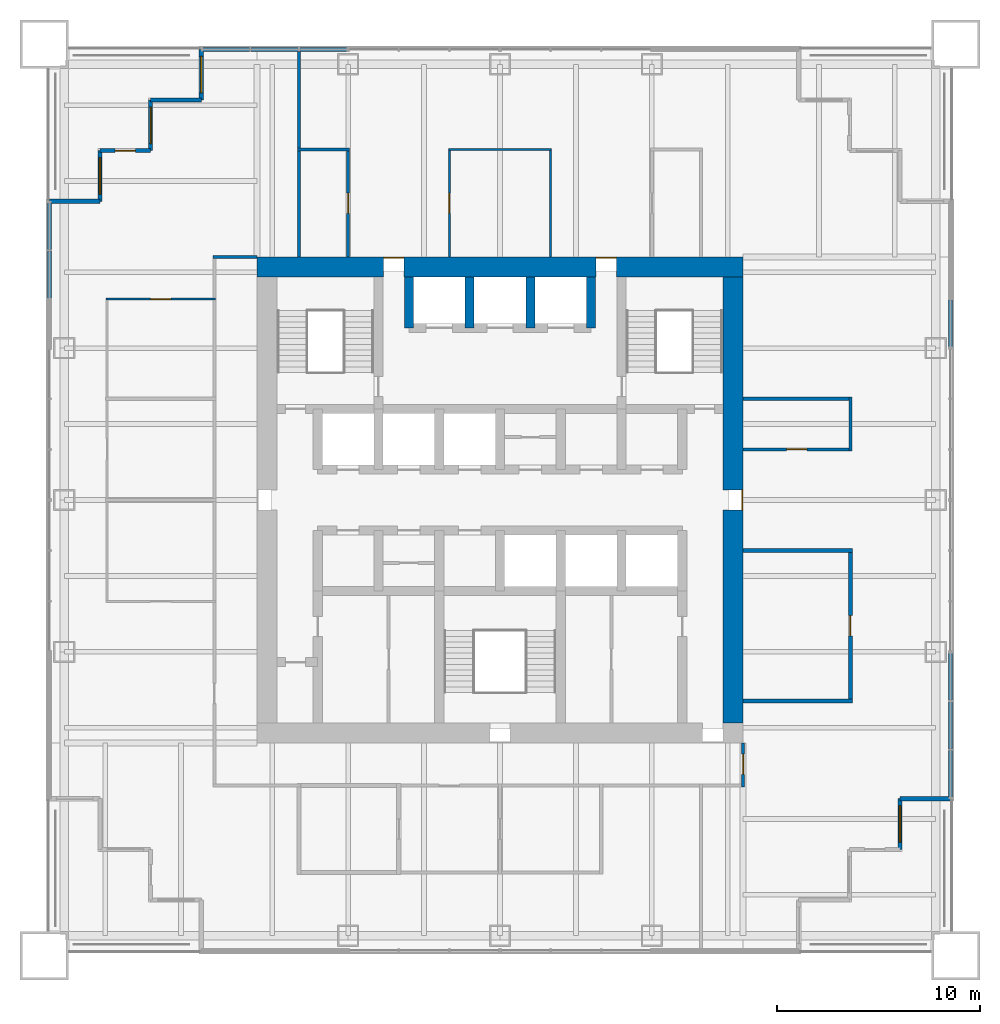
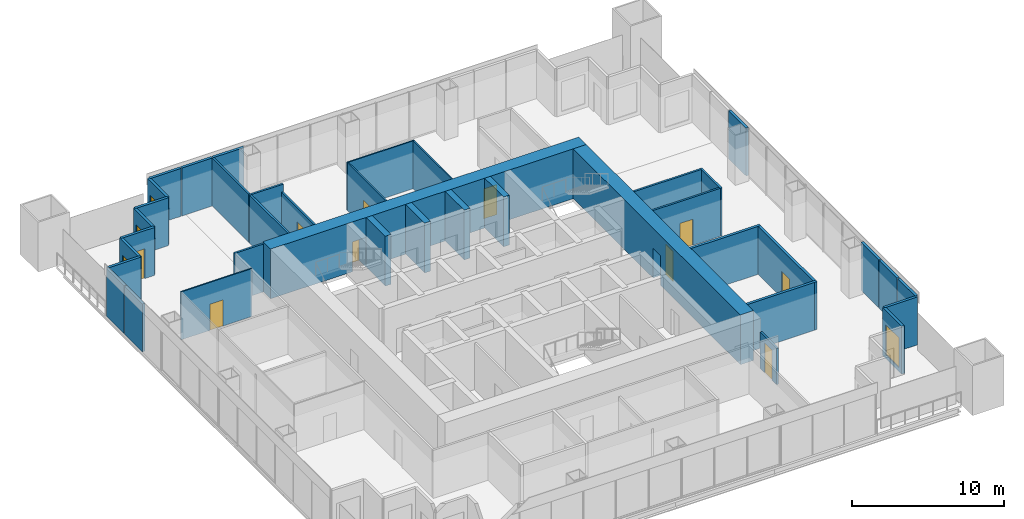
# One storey, part 10 of 13: 38 walls, 10 doors, 4 windows, 14 openings.
"""IFC4 building model written with IfcOpenShell, lengths in metres."""

from ifc_helpers import new_model, si_unit, direction, frame, frame_2d, origin, place, context, subcontext, project, spatial, rectangle, extrude, material, layer, layer_set, type_object, element, fill, save


model = new_model("IFC4")

# Units and contexts
model_context = context("Model", 3, precision=1e-05, world=origin(), true_north=direction((0.0, 1.0)))
body_context = subcontext(model_context, "Body", "Model", "MODEL_VIEW")
ifc_project = project(units=[si_unit("LENGTHUNIT", "METRE"), si_unit("AREAUNIT", "SQUARE_METRE"), si_unit("VOLUMEUNIT", "CUBIC_METRE"), si_unit("PLANEANGLEUNIT", "RADIAN"), si_unit("MASSUNIT", "GRAM", prefix="KILO")], contexts=[model_context])

# Site, building, storey
site_placement = place(None, origin())
site = spatial("IfcSite", under=ifc_project, at=site_placement, CompositionType="ELEMENT")
building_placement = place(site_placement, origin())
building = spatial("IfcBuilding", under=site, at=building_placement, Name="Tarangal Relay Tower", CompositionType="ELEMENT")
storey_placement = place(building_placement, frame((0.0, 0.0, 241.89990234375)))
storey = spatial("IfcBuildingStorey", under=building, at=storey_placement, Name="L52", CompositionType="ELEMENT", Elevation=241.89990234375)

# Walls
ifc_material_1 = material(Name="Two layers gypsum board each side on twin steel studs, mineral wool", Category="steel")
ifc_layer_1 = layer(ifc_material_1, 0.199951171875)
ifc_layer_set_1 = layer_set([ifc_layer_1], Name="Acoustic partition 200")
wall_type_1 = type_object("IfcWallType", Name="Acoustic partition 200", PredefinedType="PARTITIONING", material=ifc_layer_set_1)
for number, where, z_axis, x_axis, name in (
    (1, (12.0, -9.9169921875, 0.0), (0.0, 0.0, 1.0), (1.0, 0.0, 0.0), "Partition PT2 L52"),
    (2, (12.0, -2.5, 0.0), (0.0, 0.0, 1.0), (1.0, 0.0, 0.0), "Partition PT2 L52"),
):
    element("IfcWall", number, at=place(storey_placement, frame(where, z_axis=z_axis, x_axis=x_axis)), inside=storey, type_object=wall_type_1, Name=name, PredefinedType="PARTITIONING", context=body_context, shape_type="SweptSolid", body=[
        extrude(rectangle(XDim=5.39990234375, YDim=0.199951171875, at=frame_2d((2.699951171875, 0.0))), origin(), (0.0, 0.0, 1.0), 3.85009765625),
    ])

# Wall, opening, door
wall_1_placement = place(storey_placement, frame((17.300048828125, -10.01708984375, 0.0), z_axis=(0.0, 0.0, 1.0), x_axis=(0.0, 1.0, 0.0)))
wall_1 = element("IfcWall", 3, at=wall_1_placement, inside=storey, type_object=wall_type_1, Name="Partition PT2 L52", PredefinedType="PARTITIONING", context=body_context, shape_type="SweptSolid", body=[
    extrude(rectangle(XDim=7.6171875, YDim=0.199951171875, at=frame_2d((3.80859375, 0.0))), origin(), (0.0, 0.0, 1.0), 3.85009765625),
])
opening_1_placement = place(wall_1_placement, frame((3.30859375, 0.0, 0.0)))
opening_1 = element("IfcOpeningElement", 4, at=opening_1_placement, cuts=wall_1, Name="Opening D2", PredefinedType="OPENING", context=body_context, shape_type="SweptSolid", body=[
    extrude(rectangle(XDim=1.0, YDim=2.10009765625, at=frame_2d((0.5, 1.050048828125))), frame((0.0, 0.10986328125, 0.0), z_axis=(0.0, -1.0, 0.0), x_axis=(1.0, 0.0, 0.0)), (0.0, 0.0, 1.0), 0.219970703125),
])
ifc_material_2 = material(Name="Hardwood door", Category="wood")
door_type_1 = type_object("IfcDoorType", Name="Door 1000 x 2100", OperationType="SINGLE_SWING_LEFT", PredefinedType="DOOR", material=ifc_material_2)
door_1_placement = place(opening_1_placement, origin())
door_1 = element("IfcDoor", 5, at=door_1_placement, inside=storey, type_object=door_type_1, Name="Door D2 to boardroom L52-06", OperationType="SINGLE_SWING_LEFT", OverallHeight=2.10009765625, OverallWidth=1.0, PredefinedType="DOOR", context=body_context, shape_type="SweptSolid", body=[
    extrude(rectangle(XDim=1.0, YDim=2.10009765625, at=frame_2d((0.5, 1.050048828125))), frame((0.0, 0.02490234375, 0.0), z_axis=(0.0, -1.0, 0.0), x_axis=(1.0, 0.0, 0.0)), (0.0, 0.0, 1.0), 0.050048828125),
])
fill(opening_1, door_1)

# Walls
ifc_material_3 = material(Name="Concrete fc' 60 MPa", Category="concrete")
ifc_layer_2 = layer(ifc_material_3, 0.449951171875)
ifc_layer_set_2 = layer_set([ifc_layer_2], Name="Core inner wall 450")
wall_type_2 = type_object("IfcWallType", Name="Core inner wall 450", PredefinedType="SHEAR", material=ifc_layer_set_2)
for number, where, z_axis, x_axis, name in (
    (6, (-4.5, 8.5, 0.0), (0.0, 0.0, 1.0), (0.0, 1.0, 0.0), "Core wall XM45 L52"),
    (7, (4.5, 8.5, 0.0), (0.0, 0.0, 1.0), (0.0, 1.0, 0.0), "Core wall X45 L52"),
    (8, (-1.5, 8.5, 0.0), (0.0, 0.0, 1.0), (0.0, 1.0, 0.0), "Core wall XM15 L52"),
    (9, (1.5, 8.5, 0.0), (0.0, 0.0, 1.0), (0.0, 1.0, 0.0), "Core wall X15 L52"),
):
    element("IfcWall", number, at=place(storey_placement, frame(where, z_axis=z_axis, x_axis=x_axis)), inside=storey, type_object=wall_type_2, Name=name, PredefinedType="SHEAR", context=body_context, shape_type="SweptSolid", body=[
        extrude(rectangle(XDim=2.5, YDim=0.449951171875, at=frame_2d((1.25, 0.0))), origin(), (0.0, 0.0, 1.0), 4.0),
    ])

# Wall, openings, doors
ifc_layer_3 = layer(ifc_material_3, 1.0)
ifc_layer_set_3 = layer_set([ifc_layer_3], Name="Core wall 1000")
wall_type_3 = type_object("IfcWallType", Name="Core wall 1000", PredefinedType="SHEAR", material=ifc_layer_set_3)
wall_2_placement = place(storey_placement, frame((-12.0, 11.5, 0.0), z_axis=(0.0, 0.0, 1.0), x_axis=(1.0, 0.0, 0.0)))
wall_2 = element("IfcWall", 10, at=wall_2_placement, inside=storey, type_object=wall_type_3, Name="Core wall N L52", PredefinedType="SHEAR", context=body_context, shape_type="SweptSolid", body=[
    extrude(rectangle(XDim=24.0, YDim=1.0, at=frame_2d((12.0, 0.0))), origin(), (0.0, 0.0, 1.0), 4.0),
])
opening_2_placement = place(wall_2_placement, frame((6.25, 0.0, 0.0)))
opening_2 = element("IfcOpeningElement", 11, at=opening_2_placement, cuts=wall_2, Name="Opening FD3", PredefinedType="OPENING", context=body_context, shape_type="SweptSolid", body=[
    extrude(rectangle(XDim=1.0, YDim=2.39990234375, at=frame_2d((0.5, 1.199951171875))), frame((0.0, 0.510009765625, 0.0), z_axis=(0.0, -1.0, 0.0), x_axis=(1.0, 0.0, 0.0)), (0.0, 0.0, 1.0), 1.02001953125),
])
opening_3_placement = place(wall_2_placement, frame((16.75, 0.0, 0.0)))
opening_3 = element("IfcOpeningElement", 12, at=opening_3_placement, cuts=wall_2, Name="Opening FD3", PredefinedType="OPENING", context=body_context, shape_type="SweptSolid", body=[
    extrude(rectangle(XDim=1.0, YDim=2.39990234375, at=frame_2d((0.5, 1.199951171875))), frame((0.0, 0.510009765625, 0.0), z_axis=(0.0, -1.0, 0.0), x_axis=(1.0, 0.0, 0.0)), (0.0, 0.0, 1.0), 1.02001953125),
])
ifc_material_4 = material(Name="Steel door with hardwood frame", Category="steel")
door_type_2 = type_object("IfcDoorType", Name="Fire door 1000 x 2400 core entry", OperationType="SINGLE_SWING_RIGHT", PredefinedType="DOOR", material=ifc_material_4)
door_2_placement = place(opening_2_placement, origin())
door_2 = element("IfcDoor", 13, at=door_2_placement, inside=storey, type_object=door_type_2, Name="Core entry door north west L52", OperationType="SINGLE_SWING_RIGHT", OverallHeight=2.39990234375, OverallWidth=1.0, PredefinedType="DOOR", context=body_context, shape_type="SweptSolid", body=[
    extrude(rectangle(XDim=1.0, YDim=2.39990234375, at=frame_2d((0.5, 1.199951171875))), frame((0.0, 0.48486328125, 0.0), z_axis=(0.0, -1.0, 0.0), x_axis=(1.0, 0.0, 0.0)), (0.0, 0.0, 1.0), 0.050048828125),
])
fill(opening_2, door_2)
door_3_placement = place(opening_3_placement, origin())
door_3 = element("IfcDoor", 14, at=door_3_placement, inside=storey, type_object=door_type_2, Name="Core entry door north east L52", OperationType="SINGLE_SWING_RIGHT", OverallHeight=2.39990234375, OverallWidth=1.0, PredefinedType="DOOR", context=body_context, shape_type="SweptSolid", body=[
    extrude(rectangle(XDim=1.0, YDim=2.39990234375, at=frame_2d((0.5, 1.199951171875))), frame((0.0, 0.48486328125, 0.0), z_axis=(0.0, -1.0, 0.0), x_axis=(1.0, 0.0, 0.0)), (0.0, 0.0, 1.0), 0.050048828125),
])
fill(opening_3, door_3)

# Wall, opening, door
wall_3_placement = place(storey_placement, frame((11.5, 11.0, 0.0), z_axis=(0.0, 0.0, 1.0), x_axis=(0.0, -1.0, 0.0)))
wall_3 = element("IfcWall", 15, at=wall_3_placement, inside=storey, type_object=wall_type_3, Name="Core wall E L52", PredefinedType="SHEAR", context=body_context, shape_type="SweptSolid", body=[
    extrude(rectangle(XDim=22.0, YDim=1.0, at=frame_2d((11.0, 0.0))), origin(), (0.0, 0.0, 1.0), 4.0),
])
opening_4_placement = place(wall_3_placement, frame((10.5, 0.0, 0.0)))
opening_4 = element("IfcOpeningElement", 16, at=opening_4_placement, cuts=wall_3, Name="Opening FD3", PredefinedType="OPENING", context=body_context, shape_type="SweptSolid", body=[
    extrude(rectangle(XDim=1.0, YDim=2.39990234375, at=frame_2d((0.5, 1.199951171875))), frame((0.0, 0.510009765625, 0.0), z_axis=(0.0, -1.0, 0.0), x_axis=(1.0, 0.0, 0.0)), (0.0, 0.0, 1.0), 1.02001953125),
])
door_4_placement = place(opening_4_placement, origin())
door_4 = element("IfcDoor", 17, at=door_4_placement, inside=storey, type_object=door_type_2, Name="Core entry door east L52", OperationType="SINGLE_SWING_RIGHT", OverallHeight=2.39990234375, OverallWidth=1.0, PredefinedType="DOOR", context=body_context, shape_type="SweptSolid", body=[
    extrude(rectangle(XDim=1.0, YDim=2.39990234375, at=frame_2d((0.5, 1.199951171875))), frame((0.0, 0.48486328125, 0.0), z_axis=(0.0, -1.0, 0.0), x_axis=(1.0, 0.0, 0.0)), (0.0, 0.0, 1.0), 0.050048828125),
])
fill(opening_4, door_4)

# Wall
ifc_material_5 = material(Name="Black metal clad insulated wall", Category="steel")
ifc_layer_4 = layer(ifc_material_5, 0.199951171875)
ifc_layer_set_4 = layer_set([ifc_layer_4], Name="Corner wall metal clad 200")
wall_type_4 = type_object("IfcWallType", Name="Corner wall metal clad 200", PredefinedType="SOLIDWALL", material=ifc_layer_set_4)
wall_4_placement = place(storey_placement, frame((22.25, -14.75, 0.0), z_axis=(0.0, 0.0, 1.0), x_axis=(-1.0, 0.0, 0.0)))
element("IfcWall", 18, at=wall_4_placement, inside=storey, type_object=wall_type_4, Name="Facade wall E facade L52", PredefinedType="SOLIDWALL", context=body_context, shape_type="SweptSolid", body=[
    extrude(rectangle(XDim=2.5, YDim=0.199951171875, at=frame_2d((1.25, 0.0))), origin(), (0.0, 0.0, 1.0), 3.85009765625),
])

# Wall, opening, window
wall_5_placement = place(storey_placement, frame((19.75, -14.75, 0.0), z_axis=(0.0, 0.0, 1.0), x_axis=(0.0, -1.0, 0.0)))
wall_5 = element("IfcWall", 19, at=wall_5_placement, inside=storey, type_object=wall_type_4, Name="Facade wall E facade L52", PredefinedType="SOLIDWALL", context=body_context, shape_type="SweptSolid", body=[
    extrude(rectangle(XDim=2.5, YDim=0.199951171875, at=frame_2d((1.25, 0.0))), origin(), (0.0, 0.0, 1.0), 3.85009765625),
])
opening_5_placement = place(wall_5_placement, frame((0.35009765625, 0.0, 0.300048828125)))
opening_5 = element("IfcOpeningElement", 20, at=opening_5_placement, cuts=wall_5, Name="Opening WN2", PredefinedType="OPENING", context=body_context, shape_type="SweptSolid", body=[
    extrude(rectangle(XDim=1.800048828125, YDim=2.39990234375, at=frame_2d((0.89990234375, 1.199951171875))), frame((0.0, 0.10986328125, 0.0), z_axis=(0.0, -1.0, 0.0), x_axis=(1.0, 0.0, 0.0)), (0.0, 0.0, 1.0), 0.219970703125),
])
ifc_material_6 = material(Name="Dark tinted double glazing in black aluminium frame", Category="aluminium")
window_type = type_object("IfcWindowType", Name="Corner window 1800 x 2400", PartitioningType="SINGLE_PANEL", PredefinedType="WINDOW", material=ifc_material_6)
window_1_placement = place(opening_5_placement, origin())
window_1 = element("IfcWindow", 21, at=window_1_placement, inside=storey, type_object=window_type, Name="Corner window WN2 E facade L52", OverallHeight=2.39990234375, OverallWidth=1.800048828125, PartitioningType="SINGLE_PANEL", PredefinedType="WINDOW", context=body_context, shape_type="SweptSolid", body=[
    extrude(rectangle(XDim=1.800048828125, YDim=2.39990234375, at=frame_2d((0.89990234375, 1.199951171875))), frame((0.0, 0.030029296875, 0.0), z_axis=(0.0, -1.0, 0.0), x_axis=(1.0, 0.0, 0.0)), (0.0, 0.0, 1.0), 0.06005859375),
])
fill(opening_5, window_1)

# Wall
wall_6_placement = place(storey_placement, frame((-22.25, 14.75, 0.0), z_axis=(0.0, 0.0, 1.0), x_axis=(1.0, 0.0, 0.0)))
element("IfcWall", 22, at=wall_6_placement, inside=storey, type_object=wall_type_4, Name="Facade wall W facade L52", PredefinedType="SOLIDWALL", context=body_context, shape_type="SweptSolid", body=[
    extrude(rectangle(XDim=2.5, YDim=0.199951171875, at=frame_2d((1.25, 0.0))), origin(), (0.0, 0.0, 1.0), 3.85009765625),
])

# Wall, opening, window
wall_7_placement = place(storey_placement, frame((-19.75, 14.75, 0.0), z_axis=(0.0, 0.0, 1.0), x_axis=(0.0, 1.0, 0.0)))
wall_7 = element("IfcWall", 23, at=wall_7_placement, inside=storey, type_object=wall_type_4, Name="Facade wall W facade L52", PredefinedType="SOLIDWALL", context=body_context, shape_type="SweptSolid", body=[
    extrude(rectangle(XDim=2.5, YDim=0.199951171875, at=frame_2d((1.25, 0.0))), origin(), (0.0, 0.0, 1.0), 3.85009765625),
])
opening_6_placement = place(wall_7_placement, frame((0.35009765625, 0.0, 0.300048828125)))
opening_6 = element("IfcOpeningElement", 24, at=opening_6_placement, cuts=wall_7, Name="Opening WN2", PredefinedType="OPENING", context=body_context, shape_type="SweptSolid", body=[
    extrude(rectangle(XDim=1.800048828125, YDim=2.39990234375, at=frame_2d((0.89990234375, 1.199951171875))), frame((0.0, 0.10986328125, 0.0), z_axis=(0.0, -1.0, 0.0), x_axis=(1.0, 0.0, 0.0)), (0.0, 0.0, 1.0), 0.219970703125),
])
window_2_placement = place(opening_6_placement, origin())
window_2 = element("IfcWindow", 25, at=window_2_placement, inside=storey, type_object=window_type, Name="Corner window WN2 W facade L52", OverallHeight=2.39990234375, OverallWidth=1.800048828125, PartitioningType="SINGLE_PANEL", PredefinedType="WINDOW", context=body_context, shape_type="SweptSolid", body=[
    extrude(rectangle(XDim=1.800048828125, YDim=2.39990234375, at=frame_2d((0.89990234375, 1.199951171875))), frame((0.0, 0.030029296875, 0.0), z_axis=(0.0, -1.0, 0.0), x_axis=(1.0, 0.0, 0.0)), (0.0, 0.0, 1.0), 0.06005859375),
])
fill(opening_6, window_2)

# Wall, opening, door
wall_8_placement = place(storey_placement, frame((-19.75, 17.25, 0.0), z_axis=(0.0, 0.0, 1.0), x_axis=(1.0, 0.0, 0.0)))
wall_8 = element("IfcWall", 26, at=wall_8_placement, inside=storey, type_object=wall_type_4, Name="Facade wall W facade L52", PredefinedType="SOLIDWALL", context=body_context, shape_type="SweptSolid", body=[
    extrude(rectangle(XDim=2.5, YDim=0.199951171875, at=frame_2d((1.25, 0.0))), origin(), (0.0, 0.0, 1.0), 3.85009765625),
])
opening_7_placement = place(wall_8_placement, frame((0.75, 0.0, 0.0)))
opening_7 = element("IfcOpeningElement", 27, at=opening_7_placement, cuts=wall_8, Name="Opening TD1", PredefinedType="OPENING", context=body_context, shape_type="SweptSolid", body=[
    extrude(rectangle(XDim=1.0, YDim=2.39990234375, at=frame_2d((0.5, 1.199951171875))), frame((0.0, 0.10986328125, 0.0), z_axis=(0.0, -1.0, 0.0), x_axis=(1.0, 0.0, 0.0)), (0.0, 0.0, 1.0), 0.219970703125),
])
ifc_material_7 = material(Name="Aluminium glazed door", Category="aluminium")
door_type_3 = type_object("IfcDoorType", Name="Terrace door 1000 x 2400", OperationType="SINGLE_SWING_RIGHT", PredefinedType="DOOR", material=ifc_material_7)
door_5_placement = place(opening_7_placement, origin())
door_5 = element("IfcDoor", 28, at=door_5_placement, inside=storey, type_object=door_type_3, Name="Terrace door TD1 NW L52", OperationType="SINGLE_SWING_RIGHT", OverallHeight=2.39990234375, OverallWidth=1.0, PredefinedType="DOOR", context=body_context, shape_type="SweptSolid", body=[
    extrude(rectangle(XDim=1.0, YDim=2.39990234375, at=frame_2d((0.5, 1.199951171875))), frame((0.0, 0.02490234375, 0.0), z_axis=(0.0, -1.0, 0.0), x_axis=(1.0, 0.0, 0.0)), (0.0, 0.0, 1.0), 0.050048828125),
])
fill(opening_7, door_5)

# Wall, opening, window
wall_9_placement = place(storey_placement, frame((-17.25, 17.25, 0.0), z_axis=(0.0, 0.0, 1.0), x_axis=(0.0, 1.0, 0.0)))
wall_9 = element("IfcWall", 29, at=wall_9_placement, inside=storey, type_object=wall_type_4, Name="Facade wall W facade L52", PredefinedType="SOLIDWALL", context=body_context, shape_type="SweptSolid", body=[
    extrude(rectangle(XDim=2.5, YDim=0.199951171875, at=frame_2d((1.25, 0.0))), origin(), (0.0, 0.0, 1.0), 3.85009765625),
])
opening_8_placement = place(wall_9_placement, frame((0.35009765625, 0.0, 0.300048828125)))
opening_8 = element("IfcOpeningElement", 30, at=opening_8_placement, cuts=wall_9, Name="Opening WN2", PredefinedType="OPENING", context=body_context, shape_type="SweptSolid", body=[
    extrude(rectangle(XDim=1.800048828125, YDim=2.39990234375, at=frame_2d((0.89990234375, 1.199951171875))), frame((0.0, 0.10986328125, 0.0), z_axis=(0.0, -1.0, 0.0), x_axis=(1.0, 0.0, 0.0)), (0.0, 0.0, 1.0), 0.219970703125),
])
window_3_placement = place(opening_8_placement, origin())
window_3 = element("IfcWindow", 31, at=window_3_placement, inside=storey, type_object=window_type, Name="Corner window WN2 W facade L52", OverallHeight=2.39990234375, OverallWidth=1.800048828125, PartitioningType="SINGLE_PANEL", PredefinedType="WINDOW", context=body_context, shape_type="SweptSolid", body=[
    extrude(rectangle(XDim=1.800048828125, YDim=2.39990234375, at=frame_2d((0.89990234375, 1.199951171875))), frame((0.0, 0.030029296875, 0.0), z_axis=(0.0, -1.0, 0.0), x_axis=(1.0, 0.0, 0.0)), (0.0, 0.0, 1.0), 0.06005859375),
])
fill(opening_8, window_3)

# Wall
wall_10_placement = place(storey_placement, frame((-17.25, 19.75, 0.0), z_axis=(0.0, 0.0, 1.0), x_axis=(1.0, 0.0, 0.0)))
element("IfcWall", 32, at=wall_10_placement, inside=storey, type_object=wall_type_4, Name="Facade wall W facade L52", PredefinedType="SOLIDWALL", context=body_context, shape_type="SweptSolid", body=[
    extrude(rectangle(XDim=2.5, YDim=0.199951171875, at=frame_2d((1.25, 0.0))), origin(), (0.0, 0.0, 1.0), 3.85009765625),
])

# Wall, opening, window
wall_11_placement = place(storey_placement, frame((-14.75, 19.75, 0.0), z_axis=(0.0, 0.0, 1.0), x_axis=(0.0, 1.0, 0.0)))
wall_11 = element("IfcWall", 33, at=wall_11_placement, inside=storey, type_object=wall_type_4, Name="Facade wall W facade L52", PredefinedType="SOLIDWALL", context=body_context, shape_type="SweptSolid", body=[
    extrude(rectangle(XDim=2.5, YDim=0.199951171875, at=frame_2d((1.25, 0.0))), origin(), (0.0, 0.0, 1.0), 3.85009765625),
])
opening_9_placement = place(wall_11_placement, frame((0.35009765625, 0.0, 0.300048828125)))
opening_9 = element("IfcOpeningElement", 34, at=opening_9_placement, cuts=wall_11, Name="Opening WN2", PredefinedType="OPENING", context=body_context, shape_type="SweptSolid", body=[
    extrude(rectangle(XDim=1.800048828125, YDim=2.39990234375, at=frame_2d((0.89990234375, 1.199951171875))), frame((0.0, 0.10986328125, 0.0), z_axis=(0.0, -1.0, 0.0), x_axis=(1.0, 0.0, 0.0)), (0.0, 0.0, 1.0), 0.219970703125),
])
window_4_placement = place(opening_9_placement, origin())
window_4 = element("IfcWindow", 35, at=window_4_placement, inside=storey, type_object=window_type, Name="Corner window WN2 W facade L52", OverallHeight=2.39990234375, OverallWidth=1.800048828125, PartitioningType="SINGLE_PANEL", PredefinedType="WINDOW", context=body_context, shape_type="SweptSolid", body=[
    extrude(rectangle(XDim=1.800048828125, YDim=2.39990234375, at=frame_2d((0.89990234375, 1.199951171875))), frame((0.0, 0.030029296875, 0.0), z_axis=(0.0, -1.0, 0.0), x_axis=(1.0, 0.0, 0.0)), (0.0, 0.0, 1.0), 0.06005859375),
])
fill(opening_9, window_4)

# Walls
ifc_layer_5 = layer(ifc_material_5, 0.199951171875)
ifc_layer_set_5 = layer_set([ifc_layer_5], Name="Facade infill wall metal clad 200")
wall_type_5 = type_object("IfcWallType", Name="Facade infill wall metal clad 200", PredefinedType="SOLIDWALL", material=ifc_layer_set_5)
wall_12_placement = place(storey_placement, frame((-14.68505859375, 22.25, 0.0), z_axis=(0.0, 0.0, 1.0), x_axis=(1.0, 0.0, 0.0)))
element("IfcWall", 36, at=wall_12_placement, inside=storey, type_object=wall_type_5, Name="Facade infill wall N facade L52 1.1", PredefinedType="SOLIDWALL", context=body_context, shape_type="SweptSolid", body=[
    extrude(rectangle(XDim=2.3193359375, YDim=0.199951171875, at=frame_2d((1.15966796875, 0.0))), origin(), (0.0, 0.0, 1.0), 3.85009765625),
])
wall_13_placement = place(storey_placement, frame((-12.30078125, 22.25, 0.0), z_axis=(0.0, 0.0, 1.0), x_axis=(1.0, 0.0, 0.0)))
element("IfcWall", 37, at=wall_13_placement, inside=storey, type_object=wall_type_5, Name="Facade infill wall N facade L52 2.1", PredefinedType="SOLIDWALL", context=body_context, shape_type="SweptSolid", body=[
    extrude(rectangle(XDim=2.3515625, YDim=0.199951171875, at=frame_2d((1.17578125, 0.0))), origin(), (0.0, 0.0, 1.0), 3.85009765625),
])
for number, where, z_axis, x_axis, name in (
    (38, (-9.88427734375, 22.25, 0.0), (0.0, 0.0, 1.0), (1.0, 0.0, 0.0), "Facade infill wall N facade L52 3.1"),
    (39, (22.25, 9.88427734375, 0.0), (0.0, 0.0, 1.0), (0.0, -1.0, 0.0), "Facade infill wall E facade L52 3.1"),
    (40, (22.25, -7.56494140625, 0.0), (0.0, 0.0, 1.0), (0.0, -1.0, 0.0), "Facade infill wall E facade L52 1.1"),
):
    element("IfcWall", number, at=place(storey_placement, frame(where, z_axis=z_axis, x_axis=x_axis)), inside=storey, type_object=wall_type_5, Name=name, PredefinedType="SOLIDWALL", context=body_context, shape_type="SweptSolid", body=[
        extrude(rectangle(XDim=2.3193359375, YDim=0.199951171875, at=frame_2d((1.15966796875, 0.0))), origin(), (0.0, 0.0, 1.0), 3.85009765625),
    ])
wall_14_placement = place(storey_placement, frame((22.25, -9.94921875, 0.0), z_axis=(0.0, 0.0, 1.0), x_axis=(0.0, -1.0, 0.0)))
element("IfcWall", 41, at=wall_14_placement, inside=storey, type_object=wall_type_5, Name="Facade infill wall E facade L52 2.1", PredefinedType="SOLIDWALL", context=body_context, shape_type="SweptSolid", body=[
    extrude(rectangle(XDim=2.3515625, YDim=0.199951171875, at=frame_2d((1.17578125, 0.0))), origin(), (0.0, 0.0, 1.0), 3.85009765625),
])
wall_15_placement = place(storey_placement, frame((22.25, -12.36572265625, 0.0), z_axis=(0.0, 0.0, 1.0), x_axis=(0.0, -1.0, 0.0)))
element("IfcWall", 42, at=wall_15_placement, inside=storey, type_object=wall_type_5, Name="Facade infill wall E facade L52 3.1", PredefinedType="SOLIDWALL", context=body_context, shape_type="SweptSolid", body=[
    extrude(rectangle(XDim=2.3193359375, YDim=0.199951171875, at=frame_2d((1.15966796875, 0.0))), origin(), (0.0, 0.0, 1.0), 3.85009765625),
])
wall_16_placement = place(storey_placement, frame((-22.25, 9.94921875, 0.0), z_axis=(0.0, 0.0, 1.0), x_axis=(0.0, 1.0, 0.0)))
element("IfcWall", 43, at=wall_16_placement, inside=storey, type_object=wall_type_5, Name="Facade infill wall W facade L52 2.1", PredefinedType="SOLIDWALL", context=body_context, shape_type="SweptSolid", body=[
    extrude(rectangle(XDim=2.3515625, YDim=0.199951171875, at=frame_2d((1.17578125, 0.0))), origin(), (0.0, 0.0, 1.0), 3.85009765625),
])
wall_17_placement = place(storey_placement, frame((-22.25, 12.36572265625, 0.0), z_axis=(0.0, 0.0, 1.0), x_axis=(0.0, 1.0, 0.0)))
element("IfcWall", 44, at=wall_17_placement, inside=storey, type_object=wall_type_5, Name="Facade infill wall W facade L52 3.1", PredefinedType="SOLIDWALL", context=body_context, shape_type="SweptSolid", body=[
    extrude(rectangle(XDim=2.3193359375, YDim=0.199951171875, at=frame_2d((1.15966796875, 0.0))), origin(), (0.0, 0.0, 1.0), 3.85009765625),
])

# Wall, opening, door
ifc_material_8 = material(Name="Double glazed aluminium framed partition", Category="aluminium")
ifc_layer_6 = layer(ifc_material_8, 0.10009765625)
ifc_layer_set_6 = layer_set([ifc_layer_6], Name="Glazed partition 100")
wall_type_6 = type_object("IfcWallType", Name="Glazed partition 100", PredefinedType="PARTITIONING", material=ifc_layer_set_6)
wall_18_placement = place(storey_placement, frame((-19.449951171875, 9.9169921875, 0.0), z_axis=(0.0, 0.0, 1.0), x_axis=(1.0, 0.0, 0.0)))
wall_18 = element("IfcWall", 45, at=wall_18_placement, inside=storey, type_object=wall_type_6, Name="Partition PT3 L52", PredefinedType="PARTITIONING", context=body_context, shape_type="SweptSolid", body=[
    extrude(rectangle(XDim=5.39990234375, YDim=0.10009765625, at=frame_2d((2.699951171875, 0.0))), origin(), (0.0, 0.0, 1.0), 3.85009765625),
])
opening_10_placement = place(wall_18_placement, frame((2.199951171875, 0.0, 0.0)))
opening_10 = element("IfcOpeningElement", 46, at=opening_10_placement, cuts=wall_18, Name="Opening D3", PredefinedType="OPENING", context=body_context, shape_type="SweptSolid", body=[
    extrude(rectangle(XDim=1.0, YDim=2.10009765625, at=frame_2d((0.5, 1.050048828125))), frame((0.0, 0.06005859375, 0.0), z_axis=(0.0, -1.0, 0.0), x_axis=(1.0, 0.0, 0.0)), (0.0, 0.0, 1.0), 0.1201171875),
])
ifc_material_9 = material(Name="Frameless glass door", Category="glass")
door_type_4 = type_object("IfcDoorType", Name="Glazed door 1000 x 2100", OperationType="SINGLE_SWING_LEFT", PredefinedType="DOOR", material=ifc_material_9)
door_6_placement = place(opening_10_placement, origin())
door_6 = element("IfcDoor", 47, at=door_6_placement, inside=storey, type_object=door_type_4, Name="Door D3 to meeting room L52-12", OperationType="SINGLE_SWING_LEFT", OverallHeight=2.10009765625, OverallWidth=1.0, PredefinedType="DOOR", context=body_context, shape_type="SweptSolid", body=[
    extrude(rectangle(XDim=1.0, YDim=2.10009765625, at=frame_2d((0.5, 1.050048828125))), frame((0.0, 0.02490234375, 0.0), z_axis=(0.0, -1.0, 0.0), x_axis=(1.0, 0.0, 0.0)), (0.0, 0.0, 1.0), 0.050048828125),
])
fill(opening_10, door_6)

# Wall
wall_19_placement = place(storey_placement, frame((-2.550048828125, 17.300048828125, 0.0), z_axis=(0.0, 0.0, 1.0), x_axis=(1.0, 0.0, 0.0)))
element("IfcWall", 48, at=wall_19_placement, inside=storey, type_object=wall_type_6, Name="Partition PT3 L52", PredefinedType="PARTITIONING", context=body_context, shape_type="SweptSolid", body=[
    extrude(rectangle(XDim=5.10009765625, YDim=0.10009765625, at=frame_2d((2.550048828125, 0.0))), origin(), (0.0, 0.0, 1.0), 3.85009765625),
])

# Wall, opening, door
wall_20_placement = place(storey_placement, frame((-2.5, 12.0, 0.0), z_axis=(0.0, 0.0, 1.0), x_axis=(0.0, 1.0, 0.0)))
wall_20 = element("IfcWall", 49, at=wall_20_placement, inside=storey, type_object=wall_type_6, Name="Partition PT3 L52", PredefinedType="PARTITIONING", context=body_context, shape_type="SweptSolid", body=[
    extrude(rectangle(XDim=5.35009765625, YDim=0.10009765625, at=frame_2d((2.675048828125, 0.0))), origin(), (0.0, 0.0, 1.0), 3.85009765625),
])
opening_11_placement = place(wall_20_placement, frame((2.14990234375, 0.0, 0.0)))
opening_11 = element("IfcOpeningElement", 50, at=opening_11_placement, cuts=wall_20, Name="Opening D3", PredefinedType="OPENING", context=body_context, shape_type="SweptSolid", body=[
    extrude(rectangle(XDim=1.0, YDim=2.10009765625, at=frame_2d((0.5, 1.050048828125))), frame((0.0, 0.06005859375, 0.0), z_axis=(0.0, -1.0, 0.0), x_axis=(1.0, 0.0, 0.0)), (0.0, 0.0, 1.0), 0.1201171875),
])
door_7_placement = place(opening_11_placement, origin())
door_7 = element("IfcDoor", 51, at=door_7_placement, inside=storey, type_object=door_type_4, Name="Door D3 to meeting room L52-03", OperationType="SINGLE_SWING_LEFT", OverallHeight=2.10009765625, OverallWidth=1.0, PredefinedType="DOOR", context=body_context, shape_type="SweptSolid", body=[
    extrude(rectangle(XDim=1.0, YDim=2.10009765625, at=frame_2d((0.5, 1.050048828125))), frame((0.0, 0.02490234375, 0.0), z_axis=(0.0, -1.0, 0.0), x_axis=(1.0, 0.0, 0.0)), (0.0, 0.0, 1.0), 0.050048828125),
])
fill(opening_11, door_7)

# Wall
wall_21_placement = place(storey_placement, frame((2.5, 12.0, 0.0), z_axis=(0.0, 0.0, 1.0), x_axis=(0.0, 1.0, 0.0)))
element("IfcWall", 52, at=wall_21_placement, inside=storey, type_object=wall_type_6, Name="Partition PT3 L52", PredefinedType="PARTITIONING", context=body_context, shape_type="SweptSolid", body=[
    extrude(rectangle(XDim=5.35009765625, YDim=0.10009765625, at=frame_2d((2.675048828125, 0.0))), origin(), (0.0, 0.0, 1.0), 3.85009765625),
])

# Wall, opening, door
ifc_material_10 = material(Name="Gypsum board on steel studs", Category="steel")
ifc_layer_7 = layer(ifc_material_10, 0.14990234375)
ifc_layer_set_7 = layer_set([ifc_layer_7], Name="Partition 150")
wall_type_7 = type_object("IfcWallType", Name="Partition 150", PredefinedType="PARTITIONING", material=ifc_layer_set_7)
wall_22_placement = place(storey_placement, frame((12.0, 2.5, 0.0), z_axis=(0.0, 0.0, 1.0), x_axis=(1.0, 0.0, 0.0)))
wall_22 = element("IfcWall", 53, at=wall_22_placement, inside=storey, type_object=wall_type_7, Name="Partition PT1 L52", PredefinedType="PARTITIONING", context=body_context, shape_type="SweptSolid", body=[
    extrude(rectangle(XDim=5.375, YDim=0.14990234375, at=frame_2d((2.6875, 0.0))), origin(), (0.0, 0.0, 1.0), 3.85009765625),
])
opening_12_placement = place(wall_22_placement, frame((2.14990234375, 0.0, 0.0)))
opening_12 = element("IfcOpeningElement", 54, at=opening_12_placement, cuts=wall_22, Name="Opening D2", PredefinedType="OPENING", context=body_context, shape_type="SweptSolid", body=[
    extrude(rectangle(XDim=1.0, YDim=2.10009765625, at=frame_2d((0.5, 1.050048828125))), frame((0.0, 0.0849609375, 0.0), z_axis=(0.0, -1.0, 0.0), x_axis=(1.0, 0.0, 0.0)), (0.0, 0.0, 1.0), 0.169921875),
])
door_8_placement = place(opening_12_placement, origin())
door_8 = element("IfcDoor", 55, at=door_8_placement, inside=storey, type_object=door_type_1, Name="Door D2 to tea pantry L52-05", OperationType="SINGLE_SWING_LEFT", OverallHeight=2.10009765625, OverallWidth=1.0, PredefinedType="DOOR", context=body_context, shape_type="SweptSolid", body=[
    extrude(rectangle(XDim=1.0, YDim=2.10009765625, at=frame_2d((0.5, 1.050048828125))), frame((0.0, 0.02490234375, 0.0), z_axis=(0.0, -1.0, 0.0), x_axis=(1.0, 0.0, 0.0)), (0.0, 0.0, 1.0), 0.050048828125),
])
fill(opening_12, door_8)

# Walls
wall_23_placement = place(storey_placement, frame((12.0, 5.0, 0.0), z_axis=(0.0, 0.0, 1.0), x_axis=(1.0, 0.0, 0.0)))
element("IfcWall", 56, at=wall_23_placement, inside=storey, type_object=wall_type_7, Name="Partition PT1 L52", PredefinedType="PARTITIONING", context=body_context, shape_type="SweptSolid", body=[
    extrude(rectangle(XDim=5.375, YDim=0.14990234375, at=frame_2d((2.6875, 0.0))), origin(), (0.0, 0.0, 1.0), 3.85009765625),
])
wall_24_placement = place(storey_placement, frame((-14.175048828125, 12.0, 0.0), z_axis=(0.0, 0.0, 1.0), x_axis=(1.0, 0.0, 0.0)))
element("IfcWall", 57, at=wall_24_placement, inside=storey, type_object=wall_type_7, Name="Partition PT1 L52", PredefinedType="PARTITIONING", context=body_context, shape_type="SweptSolid", body=[
    extrude(rectangle(XDim=2.175048828125, YDim=0.14990234375, at=frame_2d((1.08740234375, 0.0))), origin(), (0.0, 0.0, 1.0), 3.85009765625),
])
wall_25_placement = place(storey_placement, frame((-9.991943359375, 17.300048828125, 0.0), z_axis=(0.0, 0.0, 1.0), x_axis=(1.0, 0.0, 0.0)))
element("IfcWall", 58, at=wall_25_placement, inside=storey, type_object=wall_type_7, Name="Partition PT1 L52", PredefinedType="PARTITIONING", context=body_context, shape_type="SweptSolid", body=[
    extrude(rectangle(XDim=2.56689453125, YDim=0.14990234375, at=frame_2d((1.283447265625, 0.0))), origin(), (0.0, 0.0, 1.0), 3.85009765625),
])
wall_26_placement = place(storey_placement, frame((-9.9169921875, 12.0, 0.0), z_axis=(0.0, 0.0, 1.0), x_axis=(0.0, 1.0, 0.0)))
element("IfcWall", 59, at=wall_26_placement, inside=storey, type_object=wall_type_7, Name="Partition PT1 L52", PredefinedType="PARTITIONING", context=body_context, shape_type="SweptSolid", body=[
    extrude(rectangle(XDim=10.14990234375, YDim=0.14990234375, at=frame_2d((5.074951171875, 0.0))), origin(), (0.0, 0.0, 1.0), 3.85009765625),
])

# Wall, opening, door
wall_27_placement = place(storey_placement, frame((-7.5, 12.0, 0.0), z_axis=(0.0, 0.0, 1.0), x_axis=(0.0, 1.0, 0.0)))
wall_27 = element("IfcWall", 60, at=wall_27_placement, inside=storey, type_object=wall_type_7, Name="Partition PT1 L52", PredefinedType="PARTITIONING", context=body_context, shape_type="SweptSolid", body=[
    extrude(rectangle(XDim=5.375, YDim=0.14990234375, at=frame_2d((2.6875, 0.0))), origin(), (0.0, 0.0, 1.0), 3.238037109375),
])
opening_13_placement = place(wall_27_placement, frame((2.14990234375, 0.0, 0.0)))
opening_13 = element("IfcOpeningElement", 61, at=opening_13_placement, cuts=wall_27, Name="Opening D2", PredefinedType="OPENING", context=body_context, shape_type="SweptSolid", body=[
    extrude(rectangle(XDim=1.0, YDim=2.10009765625, at=frame_2d((0.5, 1.050048828125))), frame((0.0, 0.0849609375, 0.0), z_axis=(0.0, -1.0, 0.0), x_axis=(1.0, 0.0, 0.0)), (0.0, 0.0, 1.0), 0.169921875),
])
door_9_placement = place(opening_13_placement, origin())
door_9 = element("IfcDoor", 62, at=door_9_placement, inside=storey, type_object=door_type_1, Name="Door D2 to cellular office L52-02", OperationType="SINGLE_SWING_LEFT", OverallHeight=2.10009765625, OverallWidth=1.0, PredefinedType="DOOR", context=body_context, shape_type="SweptSolid", body=[
    extrude(rectangle(XDim=1.0, YDim=2.10009765625, at=frame_2d((0.5, 1.050048828125))), frame((0.0, 0.02490234375, 0.0), z_axis=(0.0, -1.0, 0.0), x_axis=(1.0, 0.0, 0.0)), (0.0, 0.0, 1.0), 0.050048828125),
])
fill(opening_13, door_9)

wall_28_placement = place(storey_placement, frame((12.0, -14.175048828125, 0.0), z_axis=(0.0, 0.0, 1.0), x_axis=(0.0, 1.0, 0.0)))
wall_28 = element("IfcWall", 63, at=wall_28_placement, inside=storey, type_object=wall_type_7, Name="Partition PT1 L52", PredefinedType="PARTITIONING", context=body_context, shape_type="SweptSolid", body=[
    extrude(rectangle(XDim=2.175048828125, YDim=0.14990234375, at=frame_2d((1.08740234375, 0.0))), origin(), (0.0, 0.0, 1.0), 2.907958984375),
])
opening_14_placement = place(wall_28_placement, frame((0.625, 0.0, 0.0)))
opening_14 = element("IfcOpeningElement", 64, at=opening_14_placement, cuts=wall_28, Name="Opening SD1", PredefinedType="OPENING", context=body_context, shape_type="SweptSolid", body=[
    extrude(rectangle(XDim=1.0, YDim=2.39990234375, at=frame_2d((0.5, 1.199951171875))), frame((0.0, 0.0849609375, 0.0), z_axis=(0.0, -1.0, 0.0), x_axis=(1.0, 0.0, 0.0)), (0.0, 0.0, 1.0), 0.169921875),
])
door_type_5 = type_object("IfcDoorType", Name="Suite entrance door 1000 x 2400", OperationType="SINGLE_SWING_RIGHT", PredefinedType="DOOR", material=ifc_material_4)
door_10_placement = place(opening_14_placement, origin())
door_10 = element("IfcDoor", 65, at=door_10_placement, inside=storey, type_object=door_type_5, Name="Door SD1 to open plan office L52-13", OperationType="SINGLE_SWING_RIGHT", OverallHeight=2.39990234375, OverallWidth=1.0, PredefinedType="DOOR", context=body_context, shape_type="SweptSolid", body=[
    extrude(rectangle(XDim=1.0, YDim=2.39990234375, at=frame_2d((0.5, 1.199951171875))), frame((0.0, 0.02490234375, 0.0), z_axis=(0.0, -1.0, 0.0), x_axis=(1.0, 0.0, 0.0)), (0.0, 0.0, 1.0), 0.050048828125),
])
fill(opening_14, door_10)

# Wall
wall_29_placement = place(storey_placement, frame((17.300048828125, 2.425048828125, 0.0), z_axis=(0.0, 0.0, 1.0), x_axis=(0.0, 1.0, 0.0)))
element("IfcWall", 66, at=wall_29_placement, inside=storey, type_object=wall_type_7, Name="Partition PT1 L52", PredefinedType="PARTITIONING", context=body_context, shape_type="SweptSolid", body=[
    extrude(rectangle(XDim=2.64990234375, YDim=0.14990234375, at=frame_2d((1.324951171875, 0.0))), origin(), (0.0, 0.0, 1.0), 3.85009765625),
])

save(model, "model.ifc")
